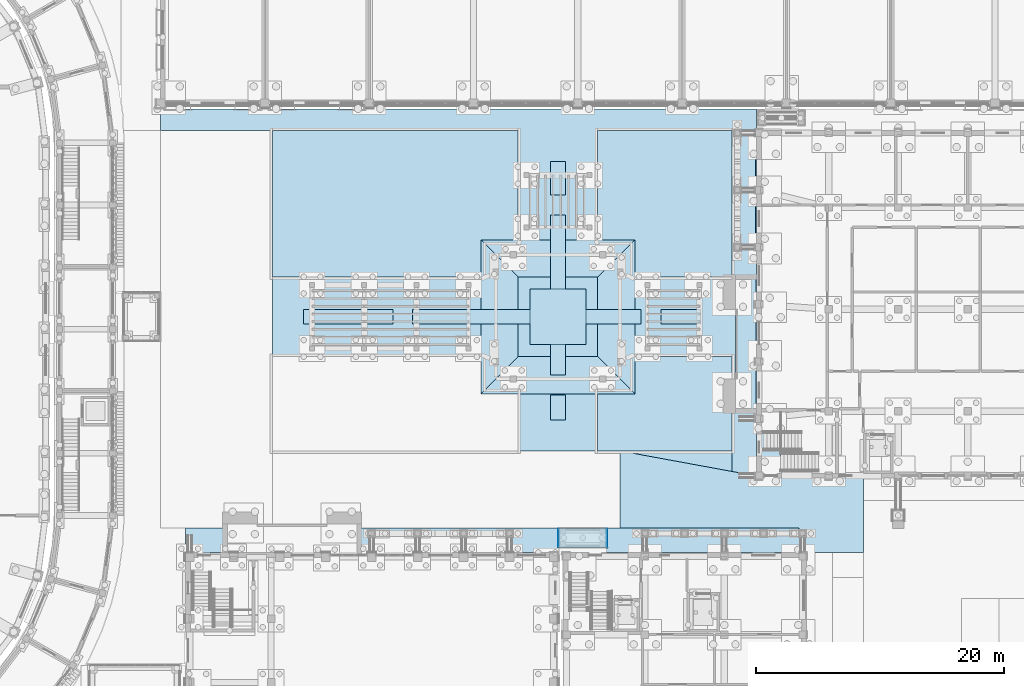
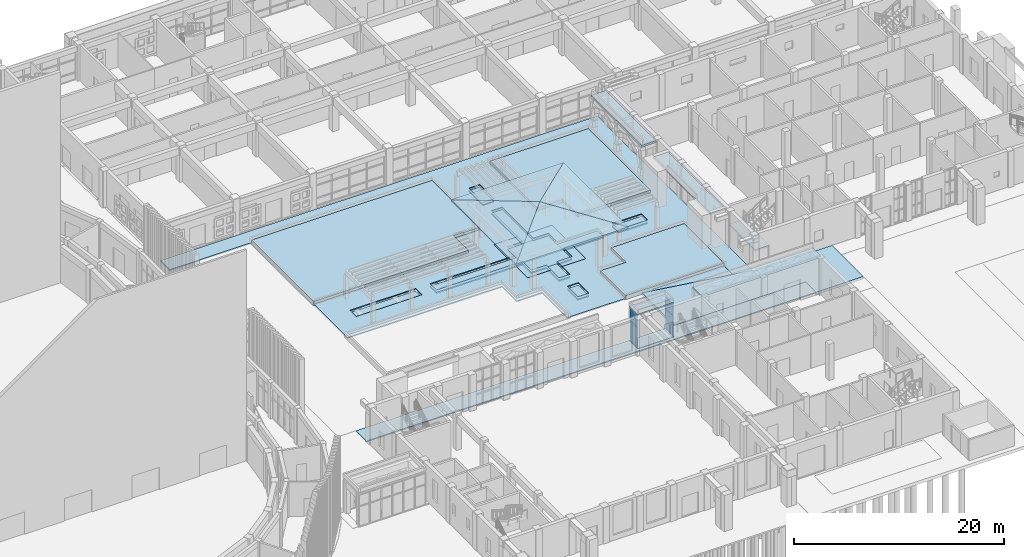
# One storey, part 52 of 112: 25 slabs, 13 plates, 3 elements without a shape of their own.
"""IFC4 building model written with IfcOpenShell, lengths in metres."""

from ifc_helpers import new_model, si_unit, direction, frame, origin, origin_2d, place, context, subcontext, project, spatial, polyline, rectangle, outline, extrude, material, layer, layer_set, type_object, element, aggregate, save


model = new_model("IFC4")

# Units and contexts
model_context = context("Model", 3, precision=1e-05, world=origin(), true_north=direction((0.0, 1.0)))
body_context = subcontext(model_context, "Body", "Model", "MODEL_VIEW")
ifc_project = project(units=[si_unit("LENGTHUNIT", "METRE"), si_unit("AREAUNIT", "SQUARE_METRE"), si_unit("VOLUMEUNIT", "CUBIC_METRE"), si_unit("PLANEANGLEUNIT", "RADIAN"), si_unit("MASSUNIT", "GRAM", prefix="KILO")], contexts=[model_context])

# Site, building, storey
site_placement = place(None, origin())
site = spatial("IfcSite", under=ifc_project, at=site_placement, CompositionType="ELEMENT")
building_placement = place(site_placement, origin())
building = spatial("IfcBuilding", under=site, at=building_placement, Name="Wasatch Bagh Community Centre", CompositionType="ELEMENT")
storey_placement = place(building_placement, origin())
storey = spatial("IfcBuildingStorey", under=building, at=storey_placement, Name="L00", CompositionType="ELEMENT", Elevation=0.0)

# Slabs
ifc_material_1 = material(Name="Concrete C35", Category="concrete")
ifc_layer_1 = layer(ifc_material_1, 0.199951171875)
ifc_layer_set_1 = layer_set([ifc_layer_1], Name="Concrete C35")
slab_type_1 = type_object("IfcSlabType", Name="CL-S1", PredefinedType="ROOF", material=ifc_layer_set_1)
slab_1_placement = place(storey_placement, frame((0.0, 0.0, 3.85009765625)))
element("IfcSlab", 1, at=slab_1_placement, inside=storey, type_object=slab_type_1, Name="CL-S1 arcade roof KW 1", PredefinedType="ROOF", context=body_context, shape_type="SweptSolid", body=[
    extrude(outline(polyline([(102.77490234375, 32.0), (115.925048828125, 32.0), (115.925048828125, 33.699951171875), (102.77490234375, 33.699951171875), (102.77490234375, 32.0)])), origin(), (0.0, 0.0, 1.0), 0.199951171875),
])
slab_2_placement = place(storey_placement, frame((0.0, 0.0, 3.85009765625)))
element("IfcSlab", 2, at=slab_2_placement, inside=storey, type_object=slab_type_1, Name="CL-S1 arcade roof SH 1", PredefinedType="ROOF", context=body_context, shape_type="SweptSolid", body=[
    extrude(outline(polyline([(110.300048828125, 56.375), (111.89990234375, 56.375), (111.89990234375, 66.02490234375), (110.300048828125, 66.02490234375), (110.300048828125, 56.375)])), origin(), (0.0, 0.0, 1.0), 0.199951171875),
])
slab_3_placement = place(storey_placement, frame((0.0, 0.0, 3.85009765625)))
element("IfcSlab", 3, at=slab_3_placement, inside=storey, type_object=slab_type_1, Name="CL-S1 porch roof", PredefinedType="ROOF", context=body_context, shape_type="SweptSolid", body=[
    extrude(outline(polyline([(110.300048828125, 43.39990234375), (110.300048828125, 54.199951171875), (111.949951171875, 54.199951171875), (111.949951171875, 43.39990234375), (110.300048828125, 43.39990234375)])), origin(), (0.0, 0.0, 1.0), 0.199951171875),
])

# Curtain wall, plates
ifc_material_2 = material(Name="Aluminium curtain wall frame with low-iron insulated glass", Category="aluminium")
ifc_layer_2 = layer(ifc_material_2, 0.10009765625)
ifc_layer_set_2 = layer_set([ifc_layer_2], Name="Aluminium curtain wall frame with low-iron insulated glass")
curtain_wall_type = type_object("IfcCurtainWallType", Name="PA curtain wall PA-CW3", PredefinedType="NOTDEFINED", material=ifc_layer_set_2)
curtain_wall_1_placement = place(storey_placement, origin())
curtain_wall_1 = element("IfcCurtainWall", 4, at=curtain_wall_1_placement, inside=storey, type_object=curtain_wall_type, Name="Curtain wall PA-CW3 PA4.1", PredefinedType="NOTDEFINED")
ifc_material_3 = material(Name="Low-iron insulated glass", Category="glass")
ifc_layer_3 = layer(ifc_material_3, 0.02392578125)
ifc_layer_set_3 = layer_set([ifc_layer_3], Name="Low-iron insulated glass")
plate_type_1 = type_object("IfcPlateType", Name="PA glass panel PA-CW3", PredefinedType="CURTAIN_PANEL", material=ifc_layer_set_3)
plate_1_placement = place(storey_placement, frame((96.049072265625, 33.199951171875, 0.06005859375), z_axis=(0.0, 0.0, 1.0), x_axis=(0.0, 1.0, 0.0)))
plate_1 = element("IfcPlate", 5, at=plate_1_placement, type_object=plate_type_1, Name="PA-CW3 panel 1.1", PredefinedType="CURTAIN_PANEL", context=body_context, shape_type="SweptSolid", body=[
    extrude(rectangle(XDim=1.43994140625, YDim=0.028076171875, at=origin_2d()), origin(), (0.0, 0.0, 1.0), 2.31005859375),
])
plate_2_placement = place(storey_placement, frame((96.049072265625, 33.199951171875, 2.43017578125), z_axis=(0.0, 0.0, 1.0), x_axis=(0.0, 1.0, 0.0)))
plate_2 = element("IfcPlate", 6, at=plate_2_placement, type_object=plate_type_1, Name="PA-CW3 panel 1.2", PredefinedType="CURTAIN_PANEL", context=body_context, shape_type="SweptSolid", body=[
    extrude(rectangle(XDim=1.43994140625, YDim=0.028076171875, at=origin_2d()), origin(), (0.0, 0.0, 1.0), 1.340087890625),
])
aggregate(curtain_wall_1, [plate_1, plate_2])

curtain_wall_2_placement = place(storey_placement, origin())
curtain_wall_2 = element("IfcCurtainWall", 7, at=curtain_wall_2_placement, inside=storey, type_object=curtain_wall_type, Name="Curtain wall PA-CW3 PA4.2", PredefinedType="NOTDEFINED")
plate_3_placement = place(storey_placement, frame((99.950927734375, 33.199951171875, 0.06005859375), z_axis=(0.0, 0.0, 1.0), x_axis=(0.0, 1.0, 0.0)))
plate_3 = element("IfcPlate", 8, at=plate_3_placement, type_object=plate_type_1, Name="PA-CW3 panel 1.1", PredefinedType="CURTAIN_PANEL", context=body_context, shape_type="SweptSolid", body=[
    extrude(rectangle(XDim=1.43994140625, YDim=0.028076171875, at=origin_2d()), origin(), (0.0, 0.0, 1.0), 2.31005859375),
])
plate_4_placement = place(storey_placement, frame((99.950927734375, 33.199951171875, 2.43017578125), z_axis=(0.0, 0.0, 1.0), x_axis=(0.0, 1.0, 0.0)))
plate_4 = element("IfcPlate", 9, at=plate_4_placement, type_object=plate_type_1, Name="PA-CW3 panel 1.2", PredefinedType="CURTAIN_PANEL", context=body_context, shape_type="SweptSolid", body=[
    extrude(rectangle(XDim=1.43994140625, YDim=0.028076171875, at=origin_2d()), origin(), (0.0, 0.0, 1.0), 1.340087890625),
])
aggregate(curtain_wall_2, [plate_3, plate_4])

# Slabs
ifc_material_4 = material(Name="Concrete C30", Category="concrete")
ifc_layer_4 = layer(ifc_material_4, 0.14990234375)
ifc_layer_set_4 = layer_set([ifc_layer_4], Name="Concrete C30")
slab_type_2 = type_object("IfcSlabType", Name="PA-S2 on grade", PredefinedType="BASESLAB", material=ifc_layer_set_4)
slab_4_placement = place(storey_placement, frame((0.0, 0.0, -0.14990234375)))
element("IfcSlab", 10, at=slab_4_placement, inside=storey, type_object=slab_type_2, Name="PA4 floor", PredefinedType="BASESLAB", context=body_context, shape_type="SweptSolid", body=[
    extrude(outline(polyline([(96.0, 32.39990234375), (100.0, 32.39990234375), (100.0, 34.0), (96.0, 34.0), (96.0, 32.39990234375)])), origin(), (0.0, 0.0, 1.0), 0.14990234375),
])
ifc_layer_5 = layer(ifc_material_1, 0.159912109375)
ifc_layer_set_5 = layer_set([ifc_layer_5], Name="Concrete C35")
slab_type_3 = type_object("IfcSlabType", Name="PA-S4", PredefinedType="ROOF", material=ifc_layer_set_5)
slab_5_placement = place(storey_placement, frame((0.0, 0.0, 3.840087890625)))
element("IfcSlab", 11, at=slab_5_placement, inside=storey, type_object=slab_type_3, Name="PA4 roof slab", PredefinedType="ROOF", context=body_context, shape_type="SweptSolid", body=[
    extrude(outline(polyline([(96.0, 32.39990234375), (100.0, 32.39990234375), (100.0, 34.0), (96.0, 34.0), (96.0, 32.39990234375)])), origin(), (0.0, 0.0, 1.0), 0.159912109375),
])

# Stair, slab
stair_type = type_object("IfcStairType", Name="SH stair 1500", PredefinedType="HALF_TURN_STAIR", material=ifc_material_1)
stair_placement = place(storey_placement, origin())
stair = element("IfcStair", 12, at=stair_placement, inside=storey, type_object=stair_type, Name="ST1 stair", PredefinedType="HALF_TURN_STAIR")
ifc_layer_6 = layer(ifc_material_1, 0.199951171875)
ifc_layer_set_6 = layer_set([ifc_layer_6], Name="Concrete C35")
slab_type_4 = type_object("IfcSlabType", Name="SH landing 200", PredefinedType="LANDING", material=ifc_layer_set_6)
slab_6_placement = place(storey_placement, frame((0.0, 0.0, 1.89990234375)))
slab_6 = element("IfcSlab", 13, at=slab_6_placement, type_object=slab_type_4, Name="ST1 landing 1", PredefinedType="LANDING", context=body_context, shape_type="SweptSolid", body=[
    extrude(outline(polyline([(113.93994140625, 38.39990234375), (112.39990234375, 38.39990234375), (112.39990234375, 43.35009765625), (113.93994140625, 43.35009765625), (113.93994140625, 38.39990234375)])), origin(), (0.0, 0.0, 1.0), 0.2001953125),
])
aggregate(stair, [slab_6])

# Plate
ifc_material_5 = material(Name="Glazed ceramic tile")
ifc_layer_7 = layer(ifc_material_5, 0.0400390625)
ifc_layer_set_7 = layer_set([ifc_layer_7], Name="Glazed ceramic tile")
plate_type_2 = type_object("IfcPlateType", Name="SITE-BL1", PredefinedType="SHEET", material=ifc_layer_set_7)
plate_5_placement = place(storey_placement, frame((96.0, 51.0, -0.2900390625), z_axis=(0.0, 0.0, 1.0), x_axis=(1.0, 0.0, 0.0)))
element("IfcPlate", 14, at=plate_5_placement, inside=storey, type_object=plate_type_2, Name="Basin lining - fountain", PredefinedType="SHEET", context=body_context, shape_type="SweptSolid", body=[
    extrude(rectangle(XDim=4.5, YDim=4.5, at=origin_2d()), origin(), (0.0, 0.0, 1.0), 0.0400390625),
])

# Slabs
ifc_material_6 = material(Name="Planting soil over Concrete C30", Category="concrete")
ifc_layer_8 = layer(ifc_material_6, 0.5)
ifc_layer_set_8 = layer_set([ifc_layer_8], Name="Planting soil over Concrete C30")
slab_type_5 = type_object("IfcSlabType", Name="SITE-G1", PredefinedType="FLOOR", material=ifc_layer_set_8)
slab_7_placement = place(storey_placement, frame((0.0, 0.0, -0.199951171875)))
element("IfcSlab", 15, at=slab_7_placement, inside=storey, type_object=slab_type_5, Name="Paving - Garden quadrant NE", PredefinedType="FLOOR", context=body_context, shape_type="SweptSolid", body=[
    extrude(outline(polyline([(110.0, 66.0), (110.0, 54.199951171875), (102.0, 54.199951171875), (102.0, 57.0), (99.199951171875, 57.0), (99.199951171875, 66.0), (110.0, 66.0)])), origin(), (0.0, 0.0, 1.0), 0.5),
])
slab_8_placement = place(storey_placement, frame((0.0, 0.0, -0.199951171875)))
element("IfcSlab", 16, at=slab_8_placement, inside=storey, type_object=slab_type_5, Name="Paving - Garden quadrant NW", PredefinedType="FLOOR", context=body_context, shape_type="SweptSolid", body=[
    extrude(outline(polyline([(73.0, 66.0), (92.800048828125, 66.0), (92.800048828125, 57.0), (90.0, 57.0), (90.0, 54.199951171875), (73.0, 54.199951171875), (73.0, 66.0)])), origin(), (0.0, 0.0, 1.0), 0.5),
])
slab_9_placement = place(storey_placement, frame((0.0, 0.0, -0.199951171875)))
element("IfcSlab", 17, at=slab_9_placement, inside=storey, type_object=slab_type_5, Name="Paving - Garden quadrant SE", PredefinedType="FLOOR", context=body_context, shape_type="SweptSolid", body=[
    extrude(outline(polyline([(110.0, 40.199951171875), (99.199951171875, 40.199951171875), (99.199951171875, 45.0), (102.0, 45.0), (102.0, 47.800048828125), (110.0, 47.800048828125), (110.0, 40.199951171875)])), origin(), (0.0, 0.0, 1.0), 0.5),
])
ifc_material_7 = material(Name="Grass-crete paving on Concrete C30 base", Category="concrete")
ifc_layer_9 = layer(ifc_material_7, 0.14990234375)
ifc_layer_set_9 = layer_set([ifc_layer_9], Name="Grass-crete paving on Concrete C30 base")
slab_type_6 = type_object("IfcSlabType", Name="SITE-G2", PredefinedType="FLOOR", material=ifc_layer_set_9)
slab_10_placement = place(storey_placement, frame((0.0, 0.0, -0.14990234375)))
element("IfcSlab", 18, at=slab_10_placement, inside=storey, type_object=slab_type_6, Name="Paving - Court corner verge", PredefinedType="FLOOR", context=body_context, shape_type="SweptSolid", body=[
    extrude(outline(polyline([(110.0, 38.54736328125), (102.190673828125, 39.9814453125), (102.21044921875, 40.199951171875), (110.0, 40.199951171875), (110.0, 38.54736328125)])), origin(), (0.0, 0.0, 1.0), 0.14990234375),
])
ifc_layer_10 = layer(ifc_material_1, 0.2900390625)
ifc_layer_set_10 = layer_set([ifc_layer_10], Name="Concrete C35")
slab_type_7 = type_object("IfcSlabType", Name="SITE-P12 on grade", PredefinedType="BASESLAB", material=ifc_layer_set_10)
slab_11_placement = place(storey_placement, frame((0.0, 0.0, -0.2900390625)))
element("IfcSlab", 19, at=slab_11_placement, inside=storey, type_object=slab_type_7, Name="Paving - Gate corridor", PredefinedType="BASESLAB", context=body_context, shape_type="SweptSolid", body=[
    extrude(outline(polyline([(101.0, 40.199951171875), (111.97998046875, 38.18359375), (111.97998046875, 37.97998046875), (120.60009765625, 37.97998046875), (120.60009765625, 32.02001953125), (115.39990234375, 32.02001953125), (115.39990234375, 34.0), (101.0, 34.0), (101.0, 40.199951171875)])), origin(), (0.0, 0.0, 1.0), 0.2900390625),
])
ifc_material_8 = material(Name="Sandstone paving on Concrete C30 base", Category="masonry")
ifc_layer_11 = layer(ifc_material_8, 0.14990234375)
ifc_layer_set_11 = layer_set([ifc_layer_11], Name="Sandstone paving on Concrete C30 base")
slab_type_8 = type_object("IfcSlabType", Name="SITE-P2", PredefinedType="FLOOR", material=ifc_layer_set_11)
slab_12_placement = place(storey_placement, frame((0.0, 0.0, -0.14990234375)))
element("IfcSlab", 20, at=slab_12_placement, inside=storey, type_object=slab_type_8, Name="Paving - Fountain surround", PredefinedType="FLOOR", context=body_context, shape_type="SweptSolid", body=[
    extrude(outline(polyline([(92.800048828125, 50.39990234375), (93.75, 50.39990234375), (93.75, 48.75), (95.39990234375, 48.75), (95.39990234375, 47.800048828125), (92.800048828125, 47.800048828125), (92.800048828125, 50.39990234375)])), origin(), (0.0, 0.0, 1.0), 0.14990234375),
])
slab_13_placement = place(storey_placement, frame((0.0, 0.0, -0.14990234375)))
element("IfcSlab", 21, at=slab_13_placement, inside=storey, type_object=slab_type_8, Name="Paving - Fountain surround", PredefinedType="FLOOR", context=body_context, shape_type="SweptSolid", body=[
    extrude(outline(polyline([(92.800048828125, 54.199951171875), (95.39990234375, 54.199951171875), (95.39990234375, 53.25), (93.75, 53.25), (93.75, 51.60009765625), (92.800048828125, 51.60009765625), (92.800048828125, 54.199951171875)])), origin(), (0.0, 0.0, 1.0), 0.14990234375),
])
slab_14_placement = place(storey_placement, frame((0.0, 0.0, -0.14990234375)))
element("IfcSlab", 22, at=slab_14_placement, inside=storey, type_object=slab_type_8, Name="Paving - Fountain surround", PredefinedType="FLOOR", context=body_context, shape_type="SweptSolid", body=[
    extrude(outline(polyline([(99.199951171875, 54.199951171875), (99.199951171875, 51.60009765625), (98.25, 51.60009765625), (98.25, 53.25), (96.60009765625, 53.25), (96.60009765625, 54.199951171875), (99.199951171875, 54.199951171875)])), origin(), (0.0, 0.0, 1.0), 0.14990234375),
])
slab_15_placement = place(storey_placement, frame((0.0, 0.0, -0.14990234375)))
element("IfcSlab", 23, at=slab_15_placement, inside=storey, type_object=slab_type_8, Name="Paving - Fountain surround", PredefinedType="FLOOR", context=body_context, shape_type="SweptSolid", body=[
    extrude(outline(polyline([(99.199951171875, 47.800048828125), (96.60009765625, 47.800048828125), (96.60009765625, 48.75), (98.25, 48.75), (98.25, 50.39990234375), (99.199951171875, 50.39990234375), (99.199951171875, 47.800048828125)])), origin(), (0.0, 0.0, 1.0), 0.14990234375),
])
ifc_layer_12 = layer(ifc_material_8, 0.125)
ifc_layer_set_12 = layer_set([ifc_layer_12], Name="Sandstone paving on Concrete C30 base")
slab_type_9 = type_object("IfcSlabType", Name="SITE-P3 on grade", PredefinedType="BASESLAB", material=ifc_layer_set_12)
slab_16_placement = place(storey_placement, frame((0.0, 0.0, -0.125)))
element("IfcSlab", 24, at=slab_16_placement, inside=storey, type_object=slab_type_9, Name="Paving - Cloister walk", PredefinedType="BASESLAB", context=body_context, shape_type="SweptSolid", body=[
    extrude(outline(polyline([(115.39990234375, 32.02001953125), (96.3798828125, 32.02001953125), (96.3798828125, 32.0), (96.02001953125, 32.0), (96.02001953125, 32.02001953125), (66.0, 32.02001953125), (66.0, 34.0), (95.97998046875, 34.0), (95.97998046875, 32.3798828125), (100.02001953125, 32.3798828125), (100.02001953125, 34.0), (115.39990234375, 34.0), (115.39990234375, 32.02001953125)])), origin(), (0.0, 0.0, 1.0), 0.125),
])
slab_17_placement = place(storey_placement, frame((0.0, 0.0, -0.125)))
element("IfcSlab", 25, at=slab_17_placement, inside=storey, type_object=slab_type_9, Name="Paving - Charbagh east-west walk", PredefinedType="BASESLAB", context=body_context, shape_type="SweptSolid", body=[
    extrude(outline(polyline([(92.800048828125, 45.0), (90.0, 45.0), (90.0, 47.800048828125), (73.0, 47.800048828125), (73.0, 54.199951171875), (90.0, 54.199951171875), (90.0, 57.0), (92.800048828125, 57.0), (92.800048828125, 66.0), (64.0, 66.0), (64.0, 67.75), (112.0, 67.75), (112.0, 66.02001953125), (111.97998046875, 66.02001953125), (111.97998046875, 38.18359375), (110.0, 38.54736328125), (110.0, 47.800048828125), (102.0, 47.800048828125), (102.0, 45.0), (99.199951171875, 45.0), (99.199951171875, 40.199951171875), (92.800048828125, 40.199951171875), (92.800048828125, 45.0)]), holes=[polyline([(84.300048828125, 51.60009765625), (84.300048828125, 50.39990234375), (92.800048828125, 50.39990234375), (92.800048828125, 47.800048828125), (95.39990234375, 47.800048828125), (95.39990234375, 46.300048828125), (96.60009765625, 46.300048828125), (96.60009765625, 47.800048828125), (99.199951171875, 47.800048828125), (99.199951171875, 50.39990234375), (102.699951171875, 50.39990234375), (102.699951171875, 51.60009765625), (99.199951171875, 51.60009765625), (99.199951171875, 54.199951171875), (96.60009765625, 54.199951171875), (96.60009765625, 59.199951171875), (95.39990234375, 59.199951171875), (95.39990234375, 54.199951171875), (92.800048828125, 54.199951171875), (92.800048828125, 51.60009765625), (84.300048828125, 51.60009765625)]), polyline([(110.0, 54.199951171875), (110.0, 66.0), (99.199951171875, 66.0), (99.199951171875, 57.0), (102.0, 57.0), (102.0, 54.199951171875), (110.0, 54.199951171875)]), polyline([(95.39990234375, 44.699951171875), (95.39990234375, 42.699951171875), (96.60009765625, 42.699951171875), (96.60009765625, 44.699951171875), (95.39990234375, 44.699951171875)]), polyline([(82.699951171875, 51.60009765625), (75.5, 51.60009765625), (75.5, 50.39990234375), (82.699951171875, 50.39990234375), (82.699951171875, 51.60009765625)]), polyline([(107.5, 51.60009765625), (104.300048828125, 51.60009765625), (104.300048828125, 50.39990234375), (107.5, 50.39990234375), (107.5, 51.60009765625)]), polyline([(95.39990234375, 63.5), (95.39990234375, 60.800048828125), (96.60009765625, 60.800048828125), (96.60009765625, 63.5), (95.39990234375, 63.5)])]), origin(), (0.0, 0.0, 1.0), 0.125),
])
ifc_layer_13 = layer(ifc_material_1, 0.199951171875)
ifc_layer_set_13 = layer_set([ifc_layer_13], Name="Concrete C35")
slab_type_10 = type_object("IfcSlabType", Name="SITE-R2", PredefinedType="ROOF", material=ifc_layer_set_13)
for number, where, z_axis, x_axis, name in (
    (26, (89.800048828125, 44.800048828125, 4.43603515625), (0.0, -0.21486545094, 0.97664365968), (1.0, 0.0, 0.0), "Baradari roof"),
    (27, (102.199951171875, 44.800048828125, 4.43603515625), (0.21486545094, 0.0, 0.97664365968), (0.0, 1.0, 0.0), "Baradari roof"),
    (28, (102.199951171875, 57.199951171875, 4.43603515625), (0.0, 0.21486545094, 0.97664365968), (-1.0, 0.0, 0.0), "Baradari roof"),
    (29, (89.800048828125, 57.199951171875, 4.43603515625), (-0.21486545094, 0.0, 0.97664365968), (0.0, -1.0, 0.0), "Baradari roof"),
):
    element("IfcSlab", number, at=place(storey_placement, frame(where, z_axis=z_axis, x_axis=x_axis)), inside=storey, type_object=slab_type_10, Name=name, PredefinedType="ROOF", context=body_context, shape_type="SweptSolid", body=[
        extrude(outline(polyline([(0.0, 0.0), (12.39990234375, 0.0), (6.199951171875, 6.348222415030534), (0.0, 0.0)])), origin(), (0.0, 0.0, -1.0), 0.199951171875),
    ])

# Plates
ifc_layer_14 = layer(ifc_material_5, 0.0400390625)
ifc_layer_set_14 = layer_set([ifc_layer_14], Name="Glazed ceramic tile")
plate_type_3 = type_object("IfcPlateType", Name="SITE-RL1", PredefinedType="SHEET", material=ifc_layer_set_14)
plate_6_placement = place(storey_placement, frame((96.0, 43.699951171875, -0.2900390625), z_axis=(0.0, 0.0, 1.0), x_axis=(1.0, 0.0, 0.0)))
element("IfcPlate", 30, at=plate_6_placement, inside=storey, type_object=plate_type_3, Name="Rill lining - water channel", PredefinedType="SHEET", context=body_context, shape_type="SweptSolid", body=[
    extrude(rectangle(XDim=1.199951171875, YDim=2.0, at=origin_2d()), origin(), (0.0, 0.0, 1.0), 0.0400390625),
])
plate_7_placement = place(storey_placement, frame((96.0, 47.52490234375, -0.2900390625), z_axis=(0.0, 0.0, 1.0), x_axis=(1.0, 0.0, 0.0)))
element("IfcPlate", 31, at=plate_7_placement, inside=storey, type_object=plate_type_3, Name="Rill lining - water channel", PredefinedType="SHEET", context=body_context, shape_type="SweptSolid", body=[
    extrude(rectangle(XDim=1.199951171875, YDim=2.449951171875, at=origin_2d()), origin(), (0.0, 0.0, 1.0), 0.0400390625),
])
plate_8_placement = place(storey_placement, frame((96.0, 56.22509765625, -0.2900390625), z_axis=(0.0, 0.0, 1.0), x_axis=(1.0, 0.0, 0.0)))
element("IfcPlate", 32, at=plate_8_placement, inside=storey, type_object=plate_type_3, Name="Rill lining - water channel", PredefinedType="SHEET", context=body_context, shape_type="SweptSolid", body=[
    extrude(rectangle(XDim=1.199951171875, YDim=5.949951171875, at=origin_2d()), origin(), (0.0, 0.0, 1.0), 0.0400390625),
])
plate_9_placement = place(storey_placement, frame((96.0, 62.14990234375, -0.2900390625), z_axis=(0.0, 0.0, 1.0), x_axis=(1.0, 0.0, 0.0)))
element("IfcPlate", 33, at=plate_9_placement, inside=storey, type_object=plate_type_3, Name="Rill lining - water channel", PredefinedType="SHEET", context=body_context, shape_type="SweptSolid", body=[
    extrude(rectangle(XDim=1.199951171875, YDim=2.699951171875, at=origin_2d()), origin(), (0.0, 0.0, 1.0), 0.0400390625),
])
plate_10_placement = place(storey_placement, frame((79.10009765625, 51.0, -0.2900390625), z_axis=(0.0, 0.0, 1.0), x_axis=(1.0, 0.0, 0.0)))
element("IfcPlate", 34, at=plate_10_placement, inside=storey, type_object=plate_type_3, Name="Rill lining - water channel", PredefinedType="SHEET", context=body_context, shape_type="SweptSolid", body=[
    extrude(rectangle(XDim=7.199951171875, YDim=1.199951171875, at=origin_2d()), origin(), (0.0, 0.0, 1.0), 0.0400390625),
])
plate_11_placement = place(storey_placement, frame((89.02490234375, 51.0, -0.2900390625), z_axis=(0.0, 0.0, 1.0), x_axis=(1.0, 0.0, 0.0)))
element("IfcPlate", 35, at=plate_11_placement, inside=storey, type_object=plate_type_3, Name="Rill lining - water channel", PredefinedType="SHEET", context=body_context, shape_type="SweptSolid", body=[
    extrude(rectangle(XDim=9.449951171875, YDim=1.199951171875, at=origin_2d()), origin(), (0.0, 0.0, 1.0), 0.0400390625),
])
plate_12_placement = place(storey_placement, frame((100.47509765625, 51.0, -0.2900390625), z_axis=(0.0, 0.0, 1.0), x_axis=(1.0, 0.0, 0.0)))
element("IfcPlate", 36, at=plate_12_placement, inside=storey, type_object=plate_type_3, Name="Rill lining - water channel", PredefinedType="SHEET", context=body_context, shape_type="SweptSolid", body=[
    extrude(rectangle(XDim=4.449951171875, YDim=1.199951171875, at=origin_2d()), origin(), (0.0, 0.0, 1.0), 0.0400390625),
])
plate_13_placement = place(storey_placement, frame((105.89990234375, 51.0, -0.2900390625), z_axis=(0.0, 0.0, 1.0), x_axis=(1.0, 0.0, 0.0)))
element("IfcPlate", 37, at=plate_13_placement, inside=storey, type_object=plate_type_3, Name="Rill lining - water channel", PredefinedType="SHEET", context=body_context, shape_type="SweptSolid", body=[
    extrude(rectangle(XDim=3.199951171875, YDim=1.199951171875, at=origin_2d()), origin(), (0.0, 0.0, 1.0), 0.0400390625),
])

# Slabs
ifc_layer_15 = layer(ifc_material_1, 0.14990234375)
ifc_layer_set_15 = layer_set([ifc_layer_15], Name="Concrete C35")
slab_type_11 = type_object("IfcSlabType", Name="SITE-WB", PredefinedType="FLOOR", material=ifc_layer_set_15)
slab_18_placement = place(storey_placement, frame((0.0, 0.0, -0.43994140625)))
element("IfcSlab", 38, at=slab_18_placement, inside=storey, type_object=slab_type_11, Name="Water channel basin", PredefinedType="FLOOR", context=body_context, shape_type="SweptSolid", body=[
    extrude(outline(polyline([(96.60009765625, 44.699951171875), (96.60009765625, 42.699951171875), (95.39990234375, 42.699951171875), (95.39990234375, 44.699951171875), (96.60009765625, 44.699951171875)])), origin(), (0.0, 0.0, 1.0), 0.14990234375),
])
slab_19_placement = place(storey_placement, frame((0.0, 0.0, -0.43994140625)))
element("IfcSlab", 39, at=slab_19_placement, inside=storey, type_object=slab_type_11, Name="Water channel basin", PredefinedType="FLOOR", context=body_context, shape_type="SweptSolid", body=[
    extrude(outline(polyline([(96.60009765625, 46.300048828125), (95.39990234375, 46.300048828125), (95.39990234375, 48.75), (93.75, 48.75), (93.75, 50.39990234375), (84.300048828125, 50.39990234375), (84.300048828125, 51.60009765625), (93.75, 51.60009765625), (93.75, 53.25), (95.39990234375, 53.25), (95.39990234375, 59.199951171875), (96.60009765625, 59.199951171875), (96.60009765625, 53.25), (98.25, 53.25), (98.25, 51.60009765625), (102.699951171875, 51.60009765625), (102.699951171875, 50.39990234375), (98.25, 50.39990234375), (98.25, 48.75), (96.60009765625, 48.75), (96.60009765625, 46.300048828125)])), origin(), (0.0, 0.0, 1.0), 0.14990234375),
])
slab_20_placement = place(storey_placement, frame((0.0, 0.0, -0.43994140625)))
element("IfcSlab", 40, at=slab_20_placement, inside=storey, type_object=slab_type_11, Name="Water channel basin", PredefinedType="FLOOR", context=body_context, shape_type="SweptSolid", body=[
    extrude(outline(polyline([(107.5, 51.60009765625), (107.5, 50.39990234375), (104.300048828125, 50.39990234375), (104.300048828125, 51.60009765625), (107.5, 51.60009765625)])), origin(), (0.0, 0.0, 1.0), 0.14990234375),
])
slab_21_placement = place(storey_placement, frame((0.0, 0.0, -0.43994140625)))
element("IfcSlab", 41, at=slab_21_placement, inside=storey, type_object=slab_type_11, Name="Water channel basin", PredefinedType="FLOOR", context=body_context, shape_type="SweptSolid", body=[
    extrude(outline(polyline([(96.60009765625, 60.800048828125), (95.39990234375, 60.800048828125), (95.39990234375, 63.5), (96.60009765625, 63.5), (96.60009765625, 60.800048828125)])), origin(), (0.0, 0.0, 1.0), 0.14990234375),
])

save(model, "model.ifc")
